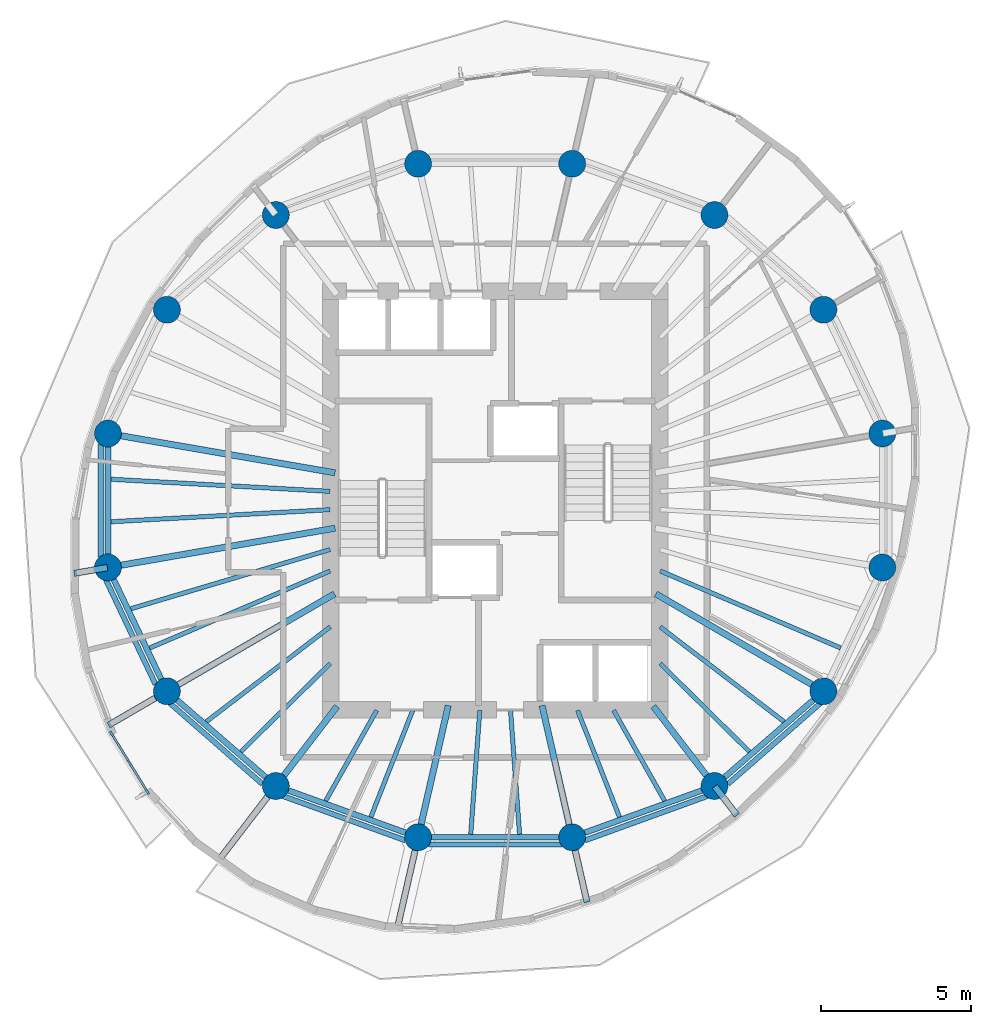
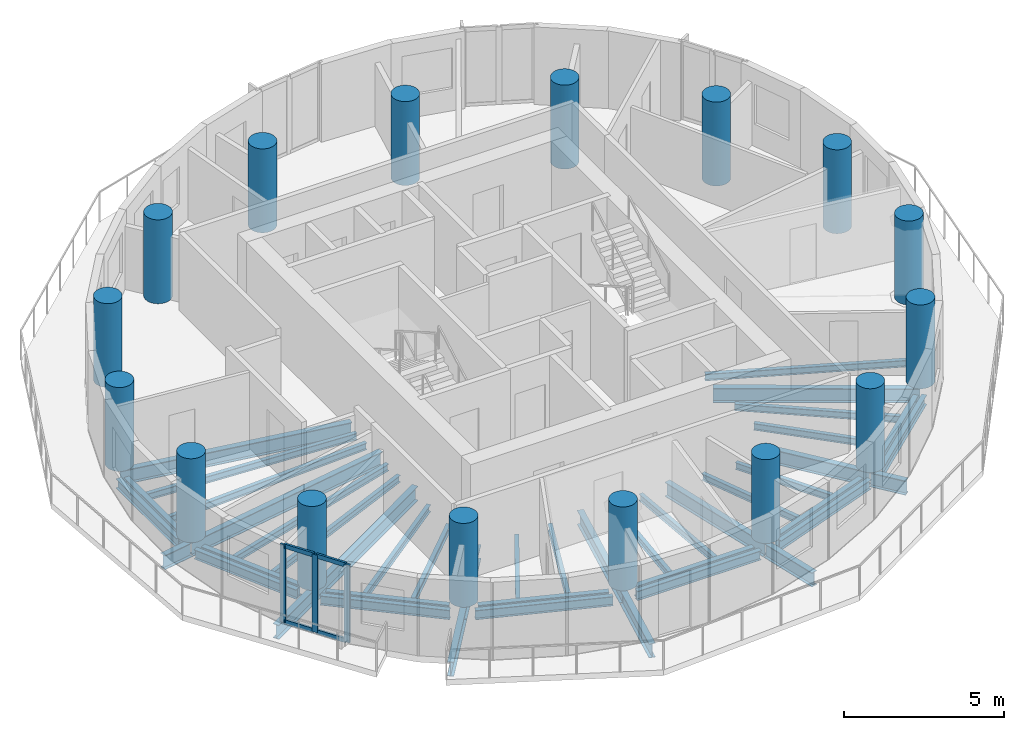
# One storey, part 1 of 10: 43 beams, 16 columns, 7 members, 1 element without a shape of its own.
"""IFC4 building model written with IfcOpenShell, lengths in metres."""

from ifc_helpers import new_model, si_unit, direction, frame, origin, origin_2d, place, context, subcontext, project, spatial, rectangle, circle, i_section, extrude, material, material_profile, profile_set, type_object, element, aggregate, save


model = new_model("IFC4")

# Units and contexts
model_context = context("Model", 3, precision=1e-05, world=origin(), true_north=direction((0.0, 1.0)))
body_context = subcontext(model_context, "Body", "Model", "MODEL_VIEW")
ifc_project = project(units=[si_unit("LENGTHUNIT", "METRE"), si_unit("AREAUNIT", "SQUARE_METRE"), si_unit("VOLUMEUNIT", "CUBIC_METRE"), si_unit("PLANEANGLEUNIT", "RADIAN"), si_unit("MASSUNIT", "GRAM", prefix="KILO")], contexts=[model_context])

# Site, building, storey
site_placement = place(None, origin())
site = spatial("IfcSite", under=ifc_project, at=site_placement, CompositionType="ELEMENT")
building_placement = place(site_placement, origin())
building = spatial("IfcBuilding", under=site, at=building_placement, Name="Veldorim Arch Residences", CompositionType="ELEMENT")
storey_placement = place(building_placement, frame((0.0, 0.0, 201.43994140625)))
storey = spatial("IfcBuildingStorey", under=building, at=storey_placement, Name="L60", CompositionType="ELEMENT", Elevation=201.43994140625)

# Columns
ifc_material_1 = material(Name="Concrete C50/60", Category="concrete")
ifc_material_profile_1 = material_profile(ifc_material_1, circle(Radius=0.449951171875, at=origin_2d()), Name="RC_CIRC_900")
ifc_profile_set_1 = profile_set([ifc_material_profile_1], Name="Concrete C50/60")
column_type = type_object("IfcColumnType", Name="Structural Column RC_CIRC_900", PredefinedType="COLUMN", material=ifc_profile_set_1)
for number, where, z_axis, x_axis, name in (
    (1, (44.9462890625, 26.239501953125, 0.0), (0.0, 0.0, 1.0), (1.0, 0.0, 0.0), "L60 TC-Z4-01 perimeter column"),
    (2, (42.975341796875, 30.3779296875, 0.0), (0.0, 0.0, 1.0), (1.0, 0.0, 0.0), "L60 TC-Z4-02 perimeter column"),
    (3, (39.33349609375, 33.54541015625, 0.0), (0.0, 0.0, 1.0), (1.0, 0.0, 0.0), "L60 TC-Z4-03 perimeter column"),
    (4, (34.5751953125, 35.259521484375, 0.0), (0.0, 0.0, 1.0), (1.0, 0.0, 0.0), "L60 TC-Z4-04 perimeter column"),
    (5, (29.4248046875, 35.259521484375, 0.0), (0.0, 0.0, 1.0), (1.0, 0.0, 0.0), "L60 TC-Z4-05 perimeter column"),
    (6, (24.66650390625, 33.54541015625, 0.0), (0.0, 0.0, 1.0), (1.0, 0.0, 0.0), "L60 TC-Z4-06 perimeter column"),
    (7, (21.024658203125, 30.3779296875, 0.0), (0.0, 0.0, 1.0), (1.0, 0.0, 0.0), "L60 TC-Z4-07 perimeter column"),
    (8, (19.0537109375, 26.239501953125, 0.0), (0.0, 0.0, 1.0), (1.0, 0.0, 0.0), "L60 TC-Z4-08 perimeter column"),
    (9, (19.0537109375, 21.760498046875, 0.0), (0.0, 0.0, 1.0), (1.0, 0.0, 0.0), "L60 TC-Z4-09 perimeter column"),
    (10, (21.024658203125, 17.6220703125, 0.0), (0.0, 0.0, 1.0), (1.0, 0.0, 0.0), "L60 TC-Z4-10 perimeter column"),
    (11, (24.66650390625, 14.45458984375, 0.0), (0.0, 0.0, 1.0), (1.0, 0.0, 0.0), "L60 TC-Z4-11 perimeter column"),
    (12, (29.4248046875, 12.740478515625, 0.0), (0.0, 0.0, 1.0), (1.0, 0.0, 0.0), "L60 TC-Z4-12 perimeter column"),
    (13, (34.5751953125, 12.740478515625, 0.0), (0.0, 0.0, 1.0), (1.0, 0.0, 0.0), "L60 TC-Z4-13 perimeter column"),
    (14, (39.33349609375, 14.45458984375, 0.0), (0.0, 0.0, 1.0), (1.0, 0.0, 0.0), "L60 TC-Z4-14 perimeter column"),
    (15, (42.975341796875, 17.6220703125, 0.0), (0.0, 0.0, 1.0), (1.0, 0.0, 0.0), "L60 TC-Z4-15 perimeter column"),
    (16, (44.9462890625, 21.760498046875, 0.0), (0.0, 0.0, 1.0), (1.0, 0.0, 0.0), "L60 TC-Z4-16 perimeter column"),
):
    element("IfcColumn", number, at=place(storey_placement, frame(where, z_axis=z_axis, x_axis=x_axis)), inside=storey, type_object=column_type, Name=name, PredefinedType="COLUMN", context=body_context, shape_type="SweptSolid", body=[
        extrude(circle(Radius=0.449951171875, at=origin_2d()), origin(), (0.0, 0.0, 1.0), 3.199951171875),
    ])

# Beams
ifc_material_2 = material(Name="Steel S355", Category="steel")
ifc_material_profile_2 = material_profile(ifc_material_2, i_section(OverallWidth=0.2119140625, OverallDepth=0.54443359375, WebThickness=0.0126953125, FlangeThickness=0.021240234375, at=origin_2d()), Name="UB533x210x122")
ifc_profile_set_2 = profile_set([ifc_material_profile_2], Name="Steel S355")
beam_type_1 = type_object("IfcBeamType", Name="Structural Steel Beam UB533x210x122", PredefinedType="BEAM", material=ifc_profile_set_2)
for number, where, z_axis, x_axis, name in (
    (17, (26.647705078125, 24.92578125, -0.51220703125), (-0.985364974081, 0.170457818401, 0.0), (-0.170457818401, -0.985364974081, 0.0), "L60 radial floor girder 08"),
    (18, (26.647705078125, 23.07421875, -0.51220703125), (-0.985364974081, -0.170457818401, 0.0), (0.170457818401, -0.985364974081, 0.0), "L60 radial floor girder 09"),
):
    element("IfcBeam", number, at=place(storey_placement, frame(where, z_axis=z_axis, x_axis=x_axis)), inside=storey, type_object=beam_type_1, Name=name, PredefinedType="BEAM", context=body_context, shape_type="SweptSolid", body=[
        extrude(i_section(OverallWidth=0.2119140625, OverallDepth=0.54443359375, WebThickness=0.0126953125, FlangeThickness=0.021240234375, at=origin_2d()), origin(), (0.0, 0.0, 1.0), 7.68701171875),
    ])
beam_1_placement = place(storey_placement, frame((19.033935546875, 21.757080078125, -0.51220703125), z_axis=(-0.985354711989, -0.170517129816, 0.0), x_axis=(0.170517129816, -0.985354711989, 0.0)))
element("IfcBeam", 19, at=beam_1_placement, inside=storey, type_object=beam_type_1, Name="L60 radial edge cantilever girder 09", PredefinedType="BEAM", context=body_context, shape_type="SweptSolid", body=[
    extrude(i_section(OverallWidth=0.2119140625, OverallDepth=0.54443359375, WebThickness=0.0126953125, FlangeThickness=0.021240234375, at=origin_2d()), origin(), (0.0, 0.0, 1.0), 1.12548828125),
])
beam_2_placement = place(storey_placement, frame((26.629638671875, 20.87939453125, -0.51220703125), z_axis=(-0.864595736304, -0.502468121142, 0.0), x_axis=(0.502468121142, -0.864595736304, 0.0)))
element("IfcBeam", 20, at=beam_2_placement, inside=storey, type_object=beam_type_1, Name="L60 radial floor girder 10", PredefinedType="BEAM", context=body_context, shape_type="SweptSolid", body=[
    extrude(i_section(OverallWidth=0.2119140625, OverallDepth=0.54443359375, WebThickness=0.0126953125, FlangeThickness=0.021240234375, at=origin_2d()), origin(), (0.0, 0.0, 1.0), 6.462646484375),
])
beam_3_placement = place(storey_placement, frame((21.00732421875, 17.612060546875, -0.51220703125), z_axis=(-0.86461626896, -0.502432788988, 0.0), x_axis=(0.502432788988, -0.86461626896, 0.0)))
element("IfcBeam", 21, at=beam_3_placement, inside=storey, type_object=beam_type_1, Name="L60 radial edge cantilever girder 10", PredefinedType="BEAM", context=body_context, shape_type="SweptSolid", body=[
    extrude(i_section(OverallWidth=0.2119140625, OverallDepth=0.54443359375, WebThickness=0.0126953125, FlangeThickness=0.021240234375, at=origin_2d()), origin(), (0.0, 0.0, 1.0), 2.238525390625),
])
beam_4_placement = place(storey_placement, frame((26.71337890625, 17.118896484375, -0.51220703125), z_axis=(-0.609258442308, -0.792971721108, 0.0), x_axis=(0.792971721108, -0.609258442308, 0.0)))
element("IfcBeam", 22, at=beam_4_placement, inside=storey, type_object=beam_type_1, Name="L60 radial floor girder 11", PredefinedType="BEAM", context=body_context, shape_type="SweptSolid", body=[
    extrude(i_section(OverallWidth=0.2119140625, OverallDepth=0.54443359375, WebThickness=0.0126953125, FlangeThickness=0.021240234375, at=origin_2d()), origin(), (0.0, 0.0, 1.0), 3.339599609375),
])
beam_5_placement = place(storey_placement, frame((24.654296875, 14.438720703125, -0.51220703125), z_axis=(-0.609260847512, -0.792969873128, 0.0), x_axis=(0.792969873128, -0.609260847512, 0.0)))
element("IfcBeam", 23, at=beam_5_placement, inside=storey, type_object=beam_type_1, Name="L60 radial edge cantilever girder 11", PredefinedType="BEAM", context=body_context, shape_type="SweptSolid", body=[
    extrude(i_section(OverallWidth=0.2119140625, OverallDepth=0.54443359375, WebThickness=0.0126953125, FlangeThickness=0.021240234375, at=origin_2d()), origin(), (0.0, 0.0, 1.0), 3.09521484375),
])
beam_6_placement = place(storey_placement, frame((30.432373046875, 17.146240234375, -0.51220703125), z_axis=(-0.222952976993, -0.97482920045, 0.0), x_axis=(0.97482920045, -0.222952976993, 0.0)))
element("IfcBeam", 24, at=beam_6_placement, inside=storey, type_object=beam_type_1, Name="L60 radial floor girder 12", PredefinedType="BEAM", context=body_context, shape_type="SweptSolid", body=[
    extrude(i_section(OverallWidth=0.2119140625, OverallDepth=0.54443359375, WebThickness=0.0126953125, FlangeThickness=0.021240234375, at=origin_2d()), origin(), (0.0, 0.0, 1.0), 4.49951171875),
])
beam_7_placement = place(storey_placement, frame((29.42041015625, 12.72119140625, -0.51220703125), z_axis=(-0.222992392333, -0.974820184937, 0.0), x_axis=(0.974820184937, -0.222992392333, 0.0)))
element("IfcBeam", 25, at=beam_7_placement, inside=storey, type_object=beam_type_1, Name="L60 radial edge cantilever girder 12", PredefinedType="BEAM", context=body_context, shape_type="SweptSolid", body=[
    extrude(i_section(OverallWidth=0.2119140625, OverallDepth=0.54443359375, WebThickness=0.0126953125, FlangeThickness=0.021240234375, at=origin_2d()), origin(), (0.0, 0.0, 1.0), 3.085205078125),
])
beam_8_placement = place(storey_placement, frame((33.567626953125, 17.146240234375, -0.51220703125), z_axis=(0.222952976993, -0.97482920045, 0.0), x_axis=(0.97482920045, 0.222952976993, 0.0)))
element("IfcBeam", 26, at=beam_8_placement, inside=storey, type_object=beam_type_1, Name="L60 radial floor girder 13", PredefinedType="BEAM", context=body_context, shape_type="SweptSolid", body=[
    extrude(i_section(OverallWidth=0.2119140625, OverallDepth=0.54443359375, WebThickness=0.0126953125, FlangeThickness=0.021240234375, at=origin_2d()), origin(), (0.0, 0.0, 1.0), 4.49951171875),
])
beam_9_placement = place(storey_placement, frame((34.57958984375, 12.72119140625, -0.51220703125), z_axis=(0.223010839713, -0.974815964872, 0.0), x_axis=(0.974815964872, 0.223010839713, 0.0)))
element("IfcBeam", 27, at=beam_9_placement, inside=storey, type_object=beam_type_1, Name="L60 radial edge cantilever girder 13", PredefinedType="BEAM", context=body_context, shape_type="SweptSolid", body=[
    extrude(i_section(OverallWidth=0.2119140625, OverallDepth=0.54443359375, WebThickness=0.0126953125, FlangeThickness=0.021240234375, at=origin_2d()), origin(), (0.0, 0.0, 1.0), 2.209228515625),
])
beam_10_placement = place(storey_placement, frame((37.28662109375, 17.118896484375, -0.51220703125), z_axis=(0.609258442308, -0.792971721108, 0.0), x_axis=(0.792971721108, 0.609258442308, 0.0)))
element("IfcBeam", 28, at=beam_10_placement, inside=storey, type_object=beam_type_1, Name="L60 radial floor girder 14", PredefinedType="BEAM", context=body_context, shape_type="SweptSolid", body=[
    extrude(i_section(OverallWidth=0.2119140625, OverallDepth=0.54443359375, WebThickness=0.0126953125, FlangeThickness=0.021240234375, at=origin_2d()), origin(), (0.0, 0.0, 1.0), 3.339599609375),
])
beam_11_placement = place(storey_placement, frame((39.345703125, 14.438720703125, -0.51220703125), z_axis=(0.609217205993, -0.793003402214, 0.0), x_axis=(0.793003402214, 0.609217205993, 0.0)))
element("IfcBeam", 29, at=beam_11_placement, inside=storey, type_object=beam_type_1, Name="L60 radial edge cantilever girder 14", PredefinedType="BEAM", context=body_context, shape_type="SweptSolid", body=[
    extrude(i_section(OverallWidth=0.2119140625, OverallDepth=0.54443359375, WebThickness=0.0126953125, FlangeThickness=0.021240234375, at=origin_2d()), origin(), (0.0, 0.0, 1.0), 1.219482421875),
])
beam_12_placement = place(storey_placement, frame((37.370361328125, 20.87939453125, -0.51220703125), z_axis=(0.864595736304, -0.502468121142, 0.0), x_axis=(0.502468121142, 0.864595736304, 0.0)))
element("IfcBeam", 30, at=beam_12_placement, inside=storey, type_object=beam_type_1, Name="L60 radial floor girder 15", PredefinedType="BEAM", context=body_context, shape_type="SweptSolid", body=[
    extrude(i_section(OverallWidth=0.2119140625, OverallDepth=0.54443359375, WebThickness=0.0126953125, FlangeThickness=0.021240234375, at=origin_2d()), origin(), (0.0, 0.0, 1.0), 6.462646484375),
])
ifc_material_3 = material(Name="Steel S355", Category="steel")
ifc_material_profile_3 = material_profile(ifc_material_3, i_section(OverallWidth=0.146484375, OverallDepth=0.256103515625, WebThickness=0.00634765625, FlangeThickness=0.010986328125, at=origin_2d()), Name="UB254x146x37")
ifc_profile_set_3 = profile_set([ifc_material_profile_3], Name="Steel S355")
beam_type_2 = type_object("IfcBeamType", Name="Structural Steel Joist UB254x146x37", PredefinedType="JOIST", material=ifc_profile_set_3)
for number, where, z_axis, x_axis, name in (
    (31, (26.47998046875, 24.3056640625, -0.367919921875), (-0.998472000884, 0.055259962464, 0.0), (-0.055259962464, -0.998472000884, 0.0), "L60 secondary radial floor joist 08-1"),
    (32, (26.47998046875, 23.6943359375, -0.367919921875), (-0.998472000884, -0.055259962464, 0.0), (0.055259962464, -0.998472000884, 0.0), "L60 secondary radial floor joist 08-2"),
):
    element("IfcBeam", number, at=place(storey_placement, frame(where, z_axis=z_axis, x_axis=x_axis)), inside=storey, type_object=beam_type_2, Name=name, PredefinedType="JOIST", context=body_context, shape_type="SweptSolid", body=[
        extrude(i_section(OverallWidth=0.146484375, OverallDepth=0.256103515625, WebThickness=0.00634765625, FlangeThickness=0.010986328125, at=origin_2d()), origin(), (0.0, 0.0, 1.0), 7.33837890625),
    ])
beam_13_placement = place(storey_placement, frame((26.480712890625, 22.360595703125, -0.367919921875), z_axis=(-0.958594432792, -0.284774846889, 0.0), x_axis=(0.284774846889, -0.958594432792, 0.0)))
element("IfcBeam", 33, at=beam_13_placement, inside=storey, type_object=beam_type_2, Name="L60 secondary radial floor joist 09-1", PredefinedType="JOIST", context=body_context, shape_type="SweptSolid", body=[
    extrude(i_section(OverallWidth=0.146484375, OverallDepth=0.256103515625, WebThickness=0.00634765625, FlangeThickness=0.010986328125, at=origin_2d()), origin(), (0.0, 0.0, 1.0), 6.949462890625),
])
beam_14_placement = place(storey_placement, frame((26.481689453125, 21.644287109375, -0.367919921875), z_axis=(-0.919725161652, -0.392562895629, 0.0), x_axis=(0.392562895629, -0.919725161652, 0.0)))
element("IfcBeam", 34, at=beam_14_placement, inside=storey, type_object=beam_type_2, Name="L60 secondary radial floor joist 09-2", PredefinedType="JOIST", context=body_context, shape_type="SweptSolid", body=[
    extrude(i_section(OverallWidth=0.146484375, OverallDepth=0.256103515625, WebThickness=0.00634765625, FlangeThickness=0.010986328125, at=origin_2d()), origin(), (0.0, 0.0, 1.0), 6.5625),
])
beam_15_placement = place(storey_placement, frame((26.484130859375, 19.777099609375, -0.367919921875), z_axis=(-0.794013672216, -0.607899899929, 0.0), x_axis=(0.607899899929, -0.794013672216, 0.0)))
element("IfcBeam", 35, at=beam_15_placement, inside=storey, type_object=beam_type_2, Name="L60 secondary radial floor joist 10-1", PredefinedType="JOIST", context=body_context, shape_type="SweptSolid", body=[
    extrude(i_section(OverallWidth=0.146484375, OverallDepth=0.256103515625, WebThickness=0.00634765625, FlangeThickness=0.010986328125, at=origin_2d()), origin(), (0.0, 0.0, 1.0), 5.217041015625),
])
beam_16_placement = place(storey_placement, frame((26.48583984375, 18.55224609375, -0.367919921875), z_axis=(-0.711396725432, -0.702790650937, 0.0), x_axis=(0.702790650937, -0.711396725432, 0.0)))
element("IfcBeam", 36, at=beam_16_placement, inside=storey, type_object=beam_type_2, Name="L60 secondary radial floor joist 10-2", PredefinedType="JOIST", context=body_context, shape_type="SweptSolid", body=[
    extrude(i_section(OverallWidth=0.146484375, OverallDepth=0.256103515625, WebThickness=0.00634765625, FlangeThickness=0.010986328125, at=origin_2d()), origin(), (0.0, 0.0, 1.0), 4.198486328125),
])
beam_17_placement = place(storey_placement, frame((28.039794921875, 16.982666015625, -0.367919921875), z_axis=(-0.491452469585, -0.870904397818, 0.0), x_axis=(0.870904397818, -0.491452469585, 0.0)))
element("IfcBeam", 37, at=beam_17_placement, inside=storey, type_object=beam_type_2, Name="L60 secondary radial floor joist 11-1", PredefinedType="JOIST", context=body_context, shape_type="SweptSolid", body=[
    extrude(i_section(OverallWidth=0.146484375, OverallDepth=0.256103515625, WebThickness=0.00634765625, FlangeThickness=0.010986328125, at=origin_2d()), origin(), (0.0, 0.0, 1.0), 3.472412109375),
])
beam_18_placement = place(storey_placement, frame((29.24365234375, 16.9814453125, -0.367919921875), z_axis=(-0.365581383042, -0.930779379001, 0.0), x_axis=(0.930779379001, -0.365581383042, 0.0)))
element("IfcBeam", 38, at=beam_18_placement, inside=storey, type_object=beam_type_2, Name="L60 secondary radial floor joist 11-2", PredefinedType="JOIST", context=body_context, shape_type="SweptSolid", body=[
    extrude(i_section(OverallWidth=0.146484375, OverallDepth=0.256103515625, WebThickness=0.00634765625, FlangeThickness=0.010986328125, at=origin_2d()), origin(), (0.0, 0.0, 1.0), 3.83056640625),
])
for number, where, z_axis, x_axis, name in (
    (39, (31.486083984375, 16.97998046875, -0.367919921875), (-0.072985625899, -0.997332992742, 0.0), (0.997332992742, -0.072985625899, 0.0), "L60 secondary radial floor joist 12-1"),
    (40, (32.513916015625, 16.97998046875, -0.367919921875), (0.072985625899, -0.997332992742, 0.0), (0.997332992742, 0.072985625899, 0.0), "L60 secondary radial floor joist 12-2"),
):
    element("IfcBeam", number, at=place(storey_placement, frame(where, z_axis=z_axis, x_axis=x_axis)), inside=storey, type_object=beam_type_2, Name=name, PredefinedType="JOIST", context=body_context, shape_type="SweptSolid", body=[
        extrude(i_section(OverallWidth=0.146484375, OverallDepth=0.256103515625, WebThickness=0.00634765625, FlangeThickness=0.010986328125, at=origin_2d()), origin(), (0.0, 0.0, 1.0), 4.151123046875),
    ])
beam_19_placement = place(storey_placement, frame((34.75634765625, 16.9814453125, -0.367919921875), z_axis=(0.365581383042, -0.930779379001, 0.0), x_axis=(0.930779379001, 0.365581383042, 0.0)))
element("IfcBeam", 41, at=beam_19_placement, inside=storey, type_object=beam_type_2, Name="L60 secondary radial floor joist 13-1", PredefinedType="JOIST", context=body_context, shape_type="SweptSolid", body=[
    extrude(i_section(OverallWidth=0.146484375, OverallDepth=0.256103515625, WebThickness=0.00634765625, FlangeThickness=0.010986328125, at=origin_2d()), origin(), (0.0, 0.0, 1.0), 3.83056640625),
])
beam_20_placement = place(storey_placement, frame((35.960205078125, 16.982666015625, -0.367919921875), z_axis=(0.491452469585, -0.870904397818, 0.0), x_axis=(0.870904397818, 0.491452469585, 0.0)))
element("IfcBeam", 42, at=beam_20_placement, inside=storey, type_object=beam_type_2, Name="L60 secondary radial floor joist 13-2", PredefinedType="JOIST", context=body_context, shape_type="SweptSolid", body=[
    extrude(i_section(OverallWidth=0.146484375, OverallDepth=0.256103515625, WebThickness=0.00634765625, FlangeThickness=0.010986328125, at=origin_2d()), origin(), (0.0, 0.0, 1.0), 3.472412109375),
])
beam_21_placement = place(storey_placement, frame((37.51416015625, 18.55224609375, -0.367919921875), z_axis=(0.711396725432, -0.702790650937, 0.0), x_axis=(0.702790650937, 0.711396725432, 0.0)))
element("IfcBeam", 43, at=beam_21_placement, inside=storey, type_object=beam_type_2, Name="L60 secondary radial floor joist 14-1", PredefinedType="JOIST", context=body_context, shape_type="SweptSolid", body=[
    extrude(i_section(OverallWidth=0.146484375, OverallDepth=0.256103515625, WebThickness=0.00634765625, FlangeThickness=0.010986328125, at=origin_2d()), origin(), (0.0, 0.0, 1.0), 4.198486328125),
])
beam_22_placement = place(storey_placement, frame((37.515869140625, 19.777099609375, -0.367919921875), z_axis=(0.794013672216, -0.607899899929, 0.0), x_axis=(0.607899899929, 0.794013672216, 0.0)))
element("IfcBeam", 44, at=beam_22_placement, inside=storey, type_object=beam_type_2, Name="L60 secondary radial floor joist 14-2", PredefinedType="JOIST", context=body_context, shape_type="SweptSolid", body=[
    extrude(i_section(OverallWidth=0.146484375, OverallDepth=0.256103515625, WebThickness=0.00634765625, FlangeThickness=0.010986328125, at=origin_2d()), origin(), (0.0, 0.0, 1.0), 5.217041015625),
])
beam_23_placement = place(storey_placement, frame((37.518310546875, 21.644287109375, -0.367919921875), z_axis=(0.919725161652, -0.392562895629, 0.0), x_axis=(0.392562895629, 0.919725161652, 0.0)))
element("IfcBeam", 45, at=beam_23_placement, inside=storey, type_object=beam_type_2, Name="L60 secondary radial floor joist 15-1", PredefinedType="JOIST", context=body_context, shape_type="SweptSolid", body=[
    extrude(i_section(OverallWidth=0.146484375, OverallDepth=0.256103515625, WebThickness=0.00634765625, FlangeThickness=0.010986328125, at=origin_2d()), origin(), (0.0, 0.0, 1.0), 6.5625),
])
ifc_material_4 = material(Name="Steel S355", Category="steel")
ifc_material_profile_4 = material_profile(ifc_material_4, i_section(OverallWidth=0.172119140625, OverallDepth=0.35791015625, WebThickness=0.008056640625, FlangeThickness=0.012939453125, at=origin_2d()), Name="UB356x171x57")
ifc_profile_set_4 = profile_set([ifc_material_profile_4], Name="Steel S355")
beam_type_3 = type_object("IfcBeamType", Name="Structural Steel Spandrel UB356x171x57", PredefinedType="SPANDREL", material=ifc_profile_set_4)
beam_24_placement = place(storey_placement, frame((18.809814453125, 25.8857421875, -0.43896484375), z_axis=(0.0, -1.0, 0.0), x_axis=(1.0, 0.0, 0.0)))
element("IfcBeam", 46, at=beam_24_placement, inside=storey, type_object=beam_type_3, Name="L60 perimeter chord spandrel beam 08", PredefinedType="SPANDREL", context=body_context, shape_type="SweptSolid", body=[
    extrude(i_section(OverallWidth=0.172119140625, OverallDepth=0.35791015625, WebThickness=0.008056640625, FlangeThickness=0.012939453125, at=origin_2d()), origin(), (0.0, 0.0, 1.0), 3.771484375),
])
beam_25_placement = place(storey_placement, frame((18.9794921875, 21.3603515625, -0.43896484375), z_axis=(0.428408308939, -0.903585259304, 0.0), x_axis=(0.903585259304, 0.428408308939, 0.0)))
element("IfcBeam", 47, at=beam_25_placement, inside=storey, type_object=beam_type_3, Name="L60 perimeter chord spandrel beam 09", PredefinedType="SPANDREL", context=body_context, shape_type="SweptSolid", body=[
    extrude(i_section(OverallWidth=0.172119140625, OverallDepth=0.35791015625, WebThickness=0.008056640625, FlangeThickness=0.012939453125, at=origin_2d()), origin(), (0.0, 0.0, 1.0), 3.878662109375),
])
beam_26_placement = place(storey_placement, frame((21.108642578125, 17.237060546875, -0.43896484375), z_axis=(0.752847646119, -0.6581948205, 0.0), x_axis=(0.6581948205, 0.752847646119, 0.0)))
element("IfcBeam", 48, at=beam_26_placement, inside=storey, type_object=beam_type_3, Name="L60 perimeter chord spandrel beam 10", PredefinedType="SPANDREL", context=body_context, shape_type="SweptSolid", body=[
    extrude(i_section(OverallWidth=0.172119140625, OverallDepth=0.35791015625, WebThickness=0.008056640625, FlangeThickness=0.012939453125, at=origin_2d()), origin(), (0.0, 0.0, 1.0), 4.12939453125),
])
beam_27_placement = place(storey_placement, frame((24.887939453125, 14.12353515625, -0.43896484375), z_axis=(0.940164695555, -0.340720332871, 0.0), x_axis=(0.340720332871, 0.940164695555, 0.0)))
element("IfcBeam", 49, at=beam_27_placement, inside=storey, type_object=beam_type_3, Name="L60 perimeter chord spandrel beam 11", PredefinedType="SPANDREL", context=body_context, shape_type="SweptSolid", body=[
    extrude(i_section(OverallWidth=0.172119140625, OverallDepth=0.35791015625, WebThickness=0.008056640625, FlangeThickness=0.012939453125, at=origin_2d()), origin(), (0.0, 0.0, 1.0), 4.370849609375),
])
beam_28_placement = place(storey_placement, frame((29.765625, 12.499267578125, -0.43896484375), z_axis=(1.0, 0.0, 0.0), x_axis=(0.0, 1.0, 0.0)))
element("IfcBeam", 50, at=beam_28_placement, inside=storey, type_object=beam_type_3, Name="L60 perimeter chord spandrel beam 12", PredefinedType="SPANDREL", context=body_context, shape_type="SweptSolid", body=[
    extrude(i_section(OverallWidth=0.172119140625, OverallDepth=0.35791015625, WebThickness=0.008056640625, FlangeThickness=0.012939453125, at=origin_2d()), origin(), (0.0, 0.0, 1.0), 4.46875),
])
beam_29_placement = place(storey_placement, frame((35.002685546875, 12.63427734375, -0.43896484375), z_axis=(0.940164695555, 0.340720332871, 0.0), x_axis=(-0.340720332871, 0.940164695555, 0.0)))
element("IfcBeam", 51, at=beam_29_placement, inside=storey, type_object=beam_type_3, Name="L60 perimeter chord spandrel beam 13", PredefinedType="SPANDREL", context=body_context, shape_type="SweptSolid", body=[
    extrude(i_section(OverallWidth=0.172119140625, OverallDepth=0.35791015625, WebThickness=0.008056640625, FlangeThickness=0.012939453125, at=origin_2d()), origin(), (0.0, 0.0, 1.0), 4.370849609375),
])
beam_30_placement = place(storey_placement, frame((39.782470703125, 14.51904296875, -0.43896484375), z_axis=(0.752847646119, 0.6581948205, 0.0), x_axis=(-0.6581948205, 0.752847646119, 0.0)))
element("IfcBeam", 52, at=beam_30_placement, inside=storey, type_object=beam_type_3, Name="L60 perimeter chord spandrel beam 14", PredefinedType="SPANDREL", context=body_context, shape_type="SweptSolid", body=[
    extrude(i_section(OverallWidth=0.172119140625, OverallDepth=0.35791015625, WebThickness=0.008056640625, FlangeThickness=0.012939453125, at=origin_2d()), origin(), (0.0, 0.0, 1.0), 4.12939453125),
])
ifc_material_5 = material(Name="Steel S355", Category="steel")
ifc_material_profile_5 = material_profile(ifc_material_5, i_section(OverallWidth=0.19140625, OverallDepth=0.4599609375, WebThickness=0.010009765625, FlangeThickness=0.01611328125, at=origin_2d()), Name="UB457x191x82")
ifc_profile_set_5 = profile_set([ifc_material_profile_5], Name="Steel S355")
beam_type_4 = type_object("IfcBeamType", Name="Structural Steel Spandrel UB457x191x82", PredefinedType="SPANDREL", material=ifc_profile_set_5)
beam_31_placement = place(storey_placement, frame((19.0537109375, 25.78955078125, -0.469970703125), z_axis=(0.0, -1.0, 0.0), x_axis=(1.0, 0.0, 0.0)))
element("IfcBeam", 53, at=beam_31_placement, inside=storey, type_object=beam_type_4, Name="L60 perimeter ring tie beam 08", PredefinedType="SPANDREL", context=body_context, shape_type="SweptSolid", body=[
    extrude(i_section(OverallWidth=0.19140625, OverallDepth=0.4599609375, WebThickness=0.010009765625, FlangeThickness=0.01611328125, at=origin_2d()), origin(), (0.0, 0.0, 1.0), 3.5791015625),
])
beam_32_placement = place(storey_placement, frame((19.2470703125, 21.35400390625, -0.469970703125), z_axis=(0.430005613988, -0.902826213586, 0.0), x_axis=(0.902826213586, 0.430005613988, 0.0)))
element("IfcBeam", 54, at=beam_32_placement, inside=storey, type_object=beam_type_4, Name="L60 perimeter ring tie beam 09", PredefinedType="SPANDREL", context=body_context, shape_type="SweptSolid", body=[
    extrude(i_section(OverallWidth=0.19140625, OverallDepth=0.4599609375, WebThickness=0.010009765625, FlangeThickness=0.01611328125, at=origin_2d()), origin(), (0.0, 0.0, 1.0), 3.68359375),
])
beam_33_placement = place(storey_placement, frame((21.364013671875, 17.326904296875, -0.469970703125), z_axis=(0.754545285701, -0.656247980436, 0.0), x_axis=(0.656247980436, 0.754545285701, 0.0)))
element("IfcBeam", 55, at=beam_33_placement, inside=storey, type_object=beam_type_4, Name="L60 perimeter ring tie beam 10", PredefinedType="SPANDREL", context=body_context, shape_type="SweptSolid", body=[
    extrude(i_section(OverallWidth=0.19140625, OverallDepth=0.4599609375, WebThickness=0.010009765625, FlangeThickness=0.01611328125, at=origin_2d()), origin(), (0.0, 0.0, 1.0), 3.9267578125),
])
beam_34_placement = place(storey_placement, frame((25.08984375, 14.30224609375, -0.469970703125), z_axis=(0.940811035395, -0.338931550137, 0.0), x_axis=(0.338931550137, 0.940811035395, 0.0)))
element("IfcBeam", 56, at=beam_34_placement, inside=storey, type_object=beam_type_4, Name="L60 perimeter ring tie beam 11", PredefinedType="SPANDREL", context=body_context, shape_type="SweptSolid", body=[
    extrude(i_section(OverallWidth=0.19140625, OverallDepth=0.4599609375, WebThickness=0.010009765625, FlangeThickness=0.01611328125, at=origin_2d()), origin(), (0.0, 0.0, 1.0), 4.15771484375),
])
beam_35_placement = place(storey_placement, frame((29.874755859375, 12.740478515625, -0.469970703125), z_axis=(1.0, 0.0, 0.0), x_axis=(0.0, 1.0, 0.0)))
element("IfcBeam", 57, at=beam_35_placement, inside=storey, type_object=beam_type_4, Name="L60 perimeter ring tie beam 12", PredefinedType="SPANDREL", context=body_context, shape_type="SweptSolid", body=[
    extrude(i_section(OverallWidth=0.19140625, OverallDepth=0.4599609375, WebThickness=0.010009765625, FlangeThickness=0.01611328125, at=origin_2d()), origin(), (0.0, 0.0, 1.0), 4.25048828125),
])
beam_36_placement = place(storey_placement, frame((34.99853515625, 12.89306640625, -0.469970703125), z_axis=(0.940811035395, 0.338931550137, 0.0), x_axis=(-0.338931550137, 0.940811035395, 0.0)))
element("IfcBeam", 58, at=beam_36_placement, inside=storey, type_object=beam_type_4, Name="L60 perimeter ring tie beam 13", PredefinedType="SPANDREL", context=body_context, shape_type="SweptSolid", body=[
    extrude(i_section(OverallWidth=0.19140625, OverallDepth=0.4599609375, WebThickness=0.010009765625, FlangeThickness=0.01611328125, at=origin_2d()), origin(), (0.0, 0.0, 1.0), 4.15771484375),
])
beam_37_placement = place(storey_placement, frame((39.673095703125, 14.75, -0.469970703125), z_axis=(0.754545285701, 0.656247980436, 0.0), x_axis=(-0.656247980436, 0.754545285701, 0.0)))
element("IfcBeam", 59, at=beam_37_placement, inside=storey, type_object=beam_type_4, Name="L60 perimeter ring tie beam 14", PredefinedType="SPANDREL", context=body_context, shape_type="SweptSolid", body=[
    extrude(i_section(OverallWidth=0.19140625, OverallDepth=0.4599609375, WebThickness=0.010009765625, FlangeThickness=0.01611328125, at=origin_2d()), origin(), (0.0, 0.0, 1.0), 3.9267578125),
])

# Curtain wall, members
ifc_material_6 = material(Name="Aluminium", Category="aluminium")
curtain_wall_type = type_object("IfcCurtainWallType", Name="Zone 4 High-Altitude Unitised Curtain Wall", PredefinedType="NOTDEFINED", material=ifc_material_6)
curtain_wall_placement = place(storey_placement, origin())
curtain_wall = element("IfcCurtainWall", 60, at=curtain_wall_placement, inside=storey, type_object=curtain_wall_type, Name="L60 unitised curtain wall bay 17", PredefinedType="NOTDEFINED")
ifc_material_7 = material(Name="Aluminium", Category="aluminium")
ifc_material_profile_6 = material_profile(ifc_material_7, rectangle(XDim=0.074951171875, YDim=0.195068359375, at=origin_2d()), Name="ALU_MUL_75x195")
ifc_profile_set_6 = profile_set([ifc_material_profile_6], Name="Aluminium")
member_type_1 = type_object("IfcMemberType", Name="Zone 4 High-Altitude Unitised Curtain Wall Mullion 75x195", PredefinedType="MULLION", material=ifc_profile_set_6)
member_1_placement = place(storey_placement, frame((20.365234375, 14.26708984375, 0.0), z_axis=(0.0, 0.0, 1.0), x_axis=(-0.851801663929, -0.523864415023, 0.0)))
member_1 = element("IfcMember", 61, at=member_1_placement, type_object=member_type_1, Name="CW-Z4 mullion 1", PredefinedType="MULLION", context=body_context, shape_type="SweptSolid", body=[
    extrude(rectangle(XDim=0.074951171875, YDim=0.195068359375, at=origin_2d()), origin(), (0.0, 0.0, 1.0), 2.9599609375),
])
member_2_placement = place(storey_placement, frame((19.77001953125, 15.234619140625, 0.0), z_axis=(0.0, 0.0, 1.0), x_axis=(-0.851801663929, -0.523864415023, 0.0)))
member_2 = element("IfcMember", 62, at=member_2_placement, type_object=member_type_1, Name="CW-Z4 mullion 2", PredefinedType="MULLION", context=body_context, shape_type="SweptSolid", body=[
    extrude(rectangle(XDim=0.074951171875, YDim=0.195068359375, at=origin_2d()), origin(), (0.0, 0.0, 1.0), 2.9599609375),
])
member_3_placement = place(storey_placement, frame((19.175048828125, 16.2021484375, 0.0), z_axis=(0.0, 0.0, 1.0), x_axis=(-0.851801663929, -0.523864415023, 0.0)))
member_3 = element("IfcMember", 63, at=member_3_placement, type_object=member_type_1, Name="CW-Z4 mullion 3", PredefinedType="MULLION", context=body_context, shape_type="SweptSolid", body=[
    extrude(rectangle(XDim=0.074951171875, YDim=0.195068359375, at=origin_2d()), origin(), (0.0, 0.0, 1.0), 2.9599609375),
])
ifc_material_8 = material(Name="Aluminium", Category="aluminium")
ifc_material_profile_7 = material_profile(ifc_material_8, rectangle(XDim=0.074951171875, YDim=0.1650390625, at=origin_2d()), Name="ALU_TRN_75x165")
ifc_profile_set_7 = profile_set([ifc_material_profile_7], Name="Aluminium")
member_type_2 = type_object("IfcMemberType", Name="Zone 4 High-Altitude Unitised Curtain Wall Transom 75x165", PredefinedType="USERDEFINED", material=ifc_profile_set_7)
member_4_placement = place(storey_placement, frame((20.345458984375, 14.299072265625, 0.03759765625), z_axis=(-0.523840572691, 0.851816326682, 0.0), x_axis=(-0.851816326682, -0.523840572691, 0.0)))
member_4 = element("IfcMember", 64, at=member_4_placement, type_object=member_type_2, Name="CW-Z4 transom 1.1", ObjectType="TRANSOM", PredefinedType="USERDEFINED", context=body_context, shape_type="SweptSolid", body=[
    extrude(rectangle(XDim=0.074951171875, YDim=0.1650390625, at=origin_2d()), origin(), (0.0, 0.0, 1.0), 1.060791015625),
])
member_5_placement = place(storey_placement, frame((20.345458984375, 14.299072265625, 2.922607421875), z_axis=(-0.523840572691, 0.851816326682, 0.0), x_axis=(-0.851816326682, -0.523840572691, 0.0)))
member_5 = element("IfcMember", 65, at=member_5_placement, type_object=member_type_2, Name="CW-Z4 transom 1.2", ObjectType="TRANSOM", PredefinedType="USERDEFINED", context=body_context, shape_type="SweptSolid", body=[
    extrude(rectangle(XDim=0.074951171875, YDim=0.1650390625, at=origin_2d()), origin(), (0.0, 0.0, 1.0), 1.060791015625),
])
member_6_placement = place(storey_placement, frame((19.75048828125, 15.2666015625, 0.03759765625), z_axis=(-0.524007543384, 0.851713622338, 0.0), x_axis=(-0.851713622338, -0.524007543384, 0.0)))
member_6 = element("IfcMember", 66, at=member_6_placement, type_object=member_type_2, Name="CW-Z4 transom 2.1", ObjectType="TRANSOM", PredefinedType="USERDEFINED", context=body_context, shape_type="SweptSolid", body=[
    extrude(rectangle(XDim=0.074951171875, YDim=0.1650390625, at=origin_2d()), origin(), (0.0, 0.0, 1.0), 1.060791015625),
])
member_7_placement = place(storey_placement, frame((19.75048828125, 15.2666015625, 2.922607421875), z_axis=(-0.524007543384, 0.851713622338, 0.0), x_axis=(-0.851713622338, -0.524007543384, 0.0)))
member_7 = element("IfcMember", 67, at=member_7_placement, type_object=member_type_2, Name="CW-Z4 transom 2.2", ObjectType="TRANSOM", PredefinedType="USERDEFINED", context=body_context, shape_type="SweptSolid", body=[
    extrude(rectangle(XDim=0.074951171875, YDim=0.1650390625, at=origin_2d()), origin(), (0.0, 0.0, 1.0), 1.060791015625),
])
aggregate(curtain_wall, [member_1, member_2, member_3, member_4, member_5, member_6, member_7])

save(model, "model.ifc")
